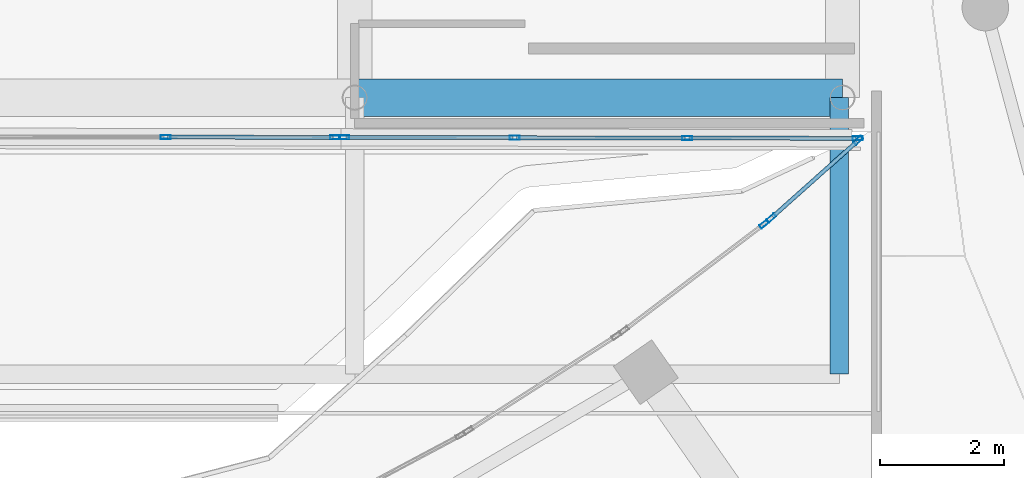
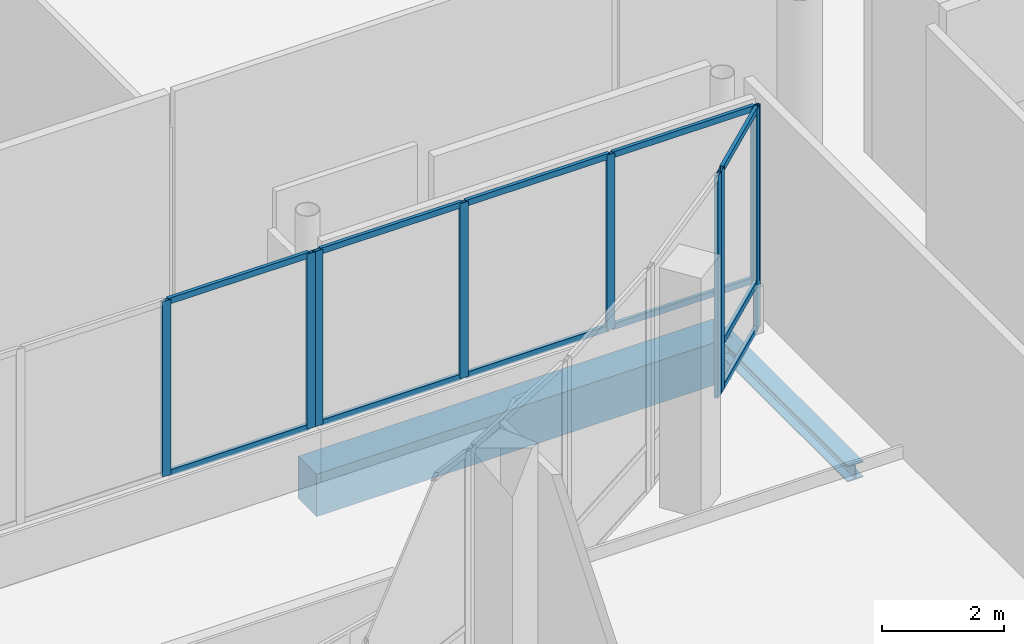
# One storey, part 56 of 168: 20 members, 2 beams, 4 elements without a shape of their own.
"""IFC4 building model written with IfcOpenShell, lengths in metres."""

from ifc_helpers import new_model, si_unit, direction, frame, origin, origin_2d, place, context, subcontext, project, spatial, rectangle, hollow_rectangle, i_section, extrude, material, material_profile, profile_set, type_object, element, aggregate, save


model = new_model("IFC4")

# Units and contexts
model_context = context("Model", 3, precision=1e-05, world=origin(), true_north=direction((0.0, 1.0)))
body_context = subcontext(model_context, "Body", "Model", "MODEL_VIEW")
ifc_project = project(units=[si_unit("LENGTHUNIT", "METRE"), si_unit("AREAUNIT", "SQUARE_METRE"), si_unit("VOLUMEUNIT", "CUBIC_METRE"), si_unit("PLANEANGLEUNIT", "RADIAN"), si_unit("MASSUNIT", "GRAM", prefix="KILO")], contexts=[model_context])

# Site, building, storey
site_placement = place(None, origin())
site = spatial("IfcSite", under=ifc_project, at=site_placement, CompositionType="ELEMENT")
building_placement = place(site_placement, origin())
building = spatial("IfcBuilding", under=site, at=building_placement, Name="Selatvlak General Hospital", CompositionType="ELEMENT")
storey_placement = place(building_placement, frame((0.0, 0.0, 5.39990234375)))
storey = spatial("IfcBuildingStorey", under=building, at=storey_placement, Name="L01", CompositionType="ELEMENT", Elevation=5.39990234375)

# Beams
ifc_material_1 = material(Name="Steel S355", Category="steel")
ifc_material_profile_1 = material_profile(ifc_material_1, i_section(OverallWidth=0.300048828125, OverallDepth=0.320068359375, WebThickness=0.011474609375, FlangeThickness=0.0205078125, at=origin_2d()), Name="HEB 320")
ifc_profile_set_1 = profile_set([ifc_material_profile_1], Name="Steel S355")
beam_type_1 = type_object("IfcBeamType", Name="BM-CAN", PredefinedType="BEAM", material=ifc_profile_set_1)
beam_1_placement = place(storey_placement, frame((81.0, 48.10009765625, -0.47998046875), z_axis=(0.0, 1.0, 0.0), x_axis=(-1.0, 0.0, 0.0)))
element("IfcBeam", 1, at=beam_1_placement, inside=storey, type_object=beam_type_1, Name="Beam BMR-L01-2951", PredefinedType="BEAM", context=body_context, shape_type="SweptSolid", body=[
    extrude(i_section(OverallWidth=0.300048828125, OverallDepth=0.320068359375, WebThickness=0.011474609375, FlangeThickness=0.0205078125, at=origin_2d()), origin(), (0.0, 0.0, 1.0), 4.449951171875),
])
ifc_material_2 = material(Name="Concrete C40/50", Category="concrete")
ifc_material_profile_2 = material_profile(ifc_material_2, rectangle(XDim=0.60009765625, YDim=0.85009765625, at=origin_2d()), Name="RC-BM 600x850")
ifc_profile_set_2 = profile_set([ifc_material_profile_2], Name="Concrete C40/50")
beam_type_2 = type_object("IfcBeamType", Name="BM-G01", PredefinedType="BEAM", material=ifc_profile_set_2)
beam_2_placement = place(storey_placement, frame((73.199951171875, 52.550048828125, -0.744873046875), z_axis=(1.0, 0.0, 0.0), x_axis=(0.0, 1.0, 0.0)))
element("IfcBeam", 2, at=beam_2_placement, inside=storey, type_object=beam_type_2, Name="Beam BMR-L01-0391", PredefinedType="BEAM", context=body_context, shape_type="SweptSolid", body=[
    extrude(rectangle(XDim=0.60009765625, YDim=0.85009765625, at=origin_2d()), origin(), (0.0, 0.0, 1.0), 7.85009765625),
])

# Curtain wall, member
ifc_material_3 = material(Name="Solar-control Low-E double glazing", Category="glass")
curtain_wall_type_1 = type_object("IfcCurtainWallType", Name="CW-CW-02", PredefinedType="USERDEFINED", material=ifc_material_3)
curtain_wall_1_placement = place(storey_placement, origin())
curtain_wall_1 = element("IfcCurtainWall", 3, at=curtain_wall_1_placement, inside=storey, type_object=curtain_wall_type_1, Name="Glazed facade curtain wall CW-L01-0206", ObjectType="UNITISED CURTAIN WALL", PredefinedType="USERDEFINED")
ifc_material_4 = material(Name="Dark anodised aluminium mullion", Category="aluminium")
ifc_material_profile_3 = material_profile(ifc_material_4, hollow_rectangle(XDim=0.06494140625, YDim=0.159912109375, WallThickness=0.00390625, at=origin_2d()), Name="AL-MUL 65x160x4")
ifc_profile_set_3 = profile_set([ifc_material_profile_3], Name="Dark anodised aluminium mullion")
member_type_1 = type_object("IfcMemberType", Name="CWM-01", PredefinedType="MULLION", material=ifc_profile_set_3)
member_1_placement = place(storey_placement, frame((79.7919921875, 50.517333984375, 0.0), z_axis=(0.0, 0.0, 1.0), x_axis=(-0.604514782215, 0.796593922952, 0.0)))
member_1 = element("IfcMember", 4, at=member_1_placement, type_object=member_type_1, Name="CW-02 mullion 2", PredefinedType="MULLION", context=body_context, shape_type="SweptSolid", body=[
    extrude(hollow_rectangle(XDim=0.06494140625, YDim=0.159912109375, WallThickness=0.00390625, at=origin_2d()), origin(), (0.0, 0.0, 1.0), 4.445068359375),
])
aggregate(curtain_wall_1, [member_1])

# Curtain wall, members
curtain_wall_type_2 = type_object("IfcCurtainWallType", Name="CW-CW-01", PredefinedType="USERDEFINED", material=ifc_material_3)
curtain_wall_2_placement = place(storey_placement, origin())
curtain_wall_2 = element("IfcCurtainWall", 5, at=curtain_wall_2_placement, inside=storey, type_object=curtain_wall_type_2, Name="Glazed facade curtain wall CW-L01-0207", ObjectType="UNITISED CURTAIN WALL", PredefinedType="USERDEFINED")
member_2_placement = place(storey_placement, frame((79.90234375, 50.610595703125, 0.0), z_axis=(0.0, 0.0, 1.0), x_axis=(-0.665638040566, 0.746274747631, 0.0)))
member_2 = element("IfcMember", 6, at=member_2_placement, type_object=member_type_1, Name="CW-01 mullion 1", PredefinedType="MULLION", context=body_context, shape_type="SweptSolid", body=[
    extrude(hollow_rectangle(XDim=0.06494140625, YDim=0.159912109375, WallThickness=0.00390625, at=origin_2d()), origin(), (0.0, 0.0, 1.0), 4.445068359375),
])
member_3_placement = place(storey_placement, frame((81.306640625, 51.86328125, 0.0), z_axis=(0.0, 0.0, 1.0), x_axis=(-0.665638040566, 0.746274747631, 0.0)))
member_3 = element("IfcMember", 7, at=member_3_placement, type_object=member_type_1, Name="CW-01 mullion 2", PredefinedType="MULLION", context=body_context, shape_type="SweptSolid", body=[
    extrude(hollow_rectangle(XDim=0.06494140625, YDim=0.159912109375, WallThickness=0.00390625, at=origin_2d()), origin(), (0.0, 0.0, 1.0), 4.445068359375),
])

curtain_wall_3_placement = place(storey_placement, origin())
curtain_wall_3 = element("IfcCurtainWall", 8, at=curtain_wall_3_placement, inside=storey, type_object=curtain_wall_type_2, Name="Glazed facade curtain wall CW-L01-0208", ObjectType="UNITISED CURTAIN WALL", PredefinedType="USERDEFINED")
member_4_placement = place(storey_placement, frame((81.29443359375, 51.89501953125, 0.940185546875), z_axis=(0.0, 0.0, 1.0), x_axis=(-0.001800285137, -0.999998379485, 0.0)))
member_4 = element("IfcMember", 9, at=member_4_placement, type_object=member_type_1, Name="CW-01 mullion 1", PredefinedType="MULLION", context=body_context, shape_type="SweptSolid", body=[
    extrude(hollow_rectangle(XDim=0.06494140625, YDim=0.159912109375, WallThickness=0.00390625, at=origin_2d()), origin(), (0.0, 0.0, 1.0), 3.5048828125),
])
member_5_placement = place(storey_placement, frame((78.549560546875, 51.89990234375, 0.940185546875), z_axis=(0.0, 0.0, 1.0), x_axis=(-0.001800285137, -0.999998379485, 0.0)))
member_5 = element("IfcMember", 10, at=member_5_placement, type_object=member_type_1, Name="CW-01 mullion 2", PredefinedType="MULLION", context=body_context, shape_type="SweptSolid", body=[
    extrude(hollow_rectangle(XDim=0.06494140625, YDim=0.159912109375, WallThickness=0.00390625, at=origin_2d()), origin(), (0.0, 0.0, 1.0), 3.5048828125),
])
member_6_placement = place(storey_placement, frame((75.772216796875, 51.905029296875, 0.940185546875), z_axis=(0.0, 0.0, 1.0), x_axis=(-0.001800285137, -0.999998379485, 0.0)))
member_6 = element("IfcMember", 11, at=member_6_placement, type_object=member_type_1, Name="CW-01 mullion 3", PredefinedType="MULLION", context=body_context, shape_type="SweptSolid", body=[
    extrude(hollow_rectangle(XDim=0.06494140625, YDim=0.159912109375, WallThickness=0.00390625, at=origin_2d()), origin(), (0.0, 0.0, 1.0), 3.5048828125),
])
member_7_placement = place(storey_placement, frame((73.027587890625, 51.909912109375, 0.940185546875), z_axis=(0.0, 0.0, 1.0), x_axis=(-0.001800285137, -0.999998379485, 0.0)))
member_7 = element("IfcMember", 12, at=member_7_placement, type_object=member_type_1, Name="CW-01 mullion 4", PredefinedType="MULLION", context=body_context, shape_type="SweptSolid", body=[
    extrude(hollow_rectangle(XDim=0.06494140625, YDim=0.159912109375, WallThickness=0.00390625, at=origin_2d()), origin(), (0.0, 0.0, 1.0), 3.5048828125),
])

curtain_wall_4_placement = place(storey_placement, origin())
curtain_wall_4 = element("IfcCurtainWall", 13, at=curtain_wall_4_placement, inside=storey, type_object=curtain_wall_type_1, Name="Glazed facade curtain wall CW-L01-0209", ObjectType="UNITISED CURTAIN WALL", PredefinedType="USERDEFINED")
member_8_placement = place(storey_placement, frame((72.882568359375, 51.91015625, 0.940185546875), z_axis=(0.0, 0.0, 1.0), x_axis=(-0.001811153756, -0.99999835986, 0.0)))
member_8 = element("IfcMember", 14, at=member_8_placement, type_object=member_type_1, Name="CW-02 mullion 1", PredefinedType="MULLION", context=body_context, shape_type="SweptSolid", body=[
    extrude(hollow_rectangle(XDim=0.06494140625, YDim=0.159912109375, WallThickness=0.00390625, at=origin_2d()), origin(), (0.0, 0.0, 1.0), 3.5048828125),
])
member_9_placement = place(storey_placement, frame((70.154296875, 51.9150390625, 0.940185546875), z_axis=(0.0, 0.0, 1.0), x_axis=(-0.001811153756, -0.99999835986, 0.0)))
member_9 = element("IfcMember", 15, at=member_9_placement, type_object=member_type_1, Name="CW-02 mullion 2", PredefinedType="MULLION", context=body_context, shape_type="SweptSolid", body=[
    extrude(hollow_rectangle(XDim=0.06494140625, YDim=0.159912109375, WallThickness=0.00390625, at=origin_2d()), origin(), (0.0, 0.0, 1.0), 3.5048828125),
])

# Member
ifc_material_profile_4 = material_profile(ifc_material_4, hollow_rectangle(XDim=0.06494140625, YDim=0.1201171875, WallThickness=0.00390625, at=origin_2d()), Name="AL-TRN 65x120x4")
ifc_profile_set_4 = profile_set([ifc_material_profile_4], Name="Dark anodised aluminium mullion")
member_type_2 = type_object("IfcMemberType", Name="CWT-01", PredefinedType="USERDEFINED", material=ifc_profile_set_4)
member_10_placement = place(storey_placement, frame((79.926513671875, 50.63232421875, 0.03271484375), z_axis=(0.746266570854, 0.66564720778, 0.0), x_axis=(-0.66564720778, 0.746266570854, 0.0)))
member_10 = element("IfcMember", 16, at=member_10_placement, type_object=member_type_2, Name="CW-01 transom 1.1", ObjectType="TRANSOM", PredefinedType="USERDEFINED", context=body_context, shape_type="SweptSolid", body=[
    extrude(hollow_rectangle(XDim=0.06494140625, YDim=0.1201171875, WallThickness=0.00390625, at=origin_2d()), origin(), (0.0, 0.0, 1.0), 1.81689453125),
])

member_11_placement = place(storey_placement, frame((79.926513671875, 50.63232421875, 0.9501953125), z_axis=(0.746266570854, 0.66564720778, 0.0), x_axis=(-0.66564720778, 0.746266570854, 0.0)))
member_11 = element("IfcMember", 17, at=member_11_placement, type_object=member_type_2, Name="CW-01 transom 1.2", ObjectType="TRANSOM", PredefinedType="USERDEFINED", context=body_context, shape_type="SweptSolid", body=[
    extrude(hollow_rectangle(XDim=0.06494140625, YDim=0.1201171875, WallThickness=0.00390625, at=origin_2d()), origin(), (0.0, 0.0, 1.0), 1.81689453125),
])

member_12_placement = place(storey_placement, frame((79.926513671875, 50.63232421875, 4.41259765625), z_axis=(0.746266570854, 0.66564720778, 0.0), x_axis=(-0.66564720778, 0.746266570854, 0.0)))
member_12 = element("IfcMember", 18, at=member_12_placement, type_object=member_type_2, Name="CW-01 transom 1.3", ObjectType="TRANSOM", PredefinedType="USERDEFINED", context=body_context, shape_type="SweptSolid", body=[
    extrude(hollow_rectangle(XDim=0.06494140625, YDim=0.1201171875, WallThickness=0.00390625, at=origin_2d()), origin(), (0.0, 0.0, 1.0), 1.81689453125),
])

aggregate(curtain_wall_2, [member_2, member_3, member_10, member_11, member_12])

member_13_placement = place(storey_placement, frame((81.261962890625, 51.89501953125, 0.97265625), z_axis=(-0.999998339875, 0.001822154409, 0.0), x_axis=(-0.001822154409, -0.999998339875, 0.0)))
member_13 = element("IfcMember", 19, at=member_13_placement, type_object=member_type_2, Name="CW-01 transom 1.1", ObjectType="TRANSOM", PredefinedType="USERDEFINED", context=body_context, shape_type="SweptSolid", body=[
    extrude(hollow_rectangle(XDim=0.06494140625, YDim=0.1201171875, WallThickness=0.00390625, at=origin_2d()), origin(), (0.0, 0.0, 1.0), 2.6796875),
])

member_14_placement = place(storey_placement, frame((81.261962890625, 51.89501953125, 4.41259765625), z_axis=(-0.999998339875, 0.001822154409, 0.0), x_axis=(-0.001822154409, -0.999998339875, 0.0)))
member_14 = element("IfcMember", 20, at=member_14_placement, type_object=member_type_2, Name="CW-01 transom 1.2", ObjectType="TRANSOM", PredefinedType="USERDEFINED", context=body_context, shape_type="SweptSolid", body=[
    extrude(hollow_rectangle(XDim=0.06494140625, YDim=0.1201171875, WallThickness=0.00390625, at=origin_2d()), origin(), (0.0, 0.0, 1.0), 2.6796875),
])

member_15_placement = place(storey_placement, frame((78.51708984375, 51.900146484375, 0.97265625), z_axis=(-0.999998379388, 0.001800339147, 0.0), x_axis=(-0.001800339147, -0.999998379388, 0.0)))
member_15 = element("IfcMember", 21, at=member_15_placement, type_object=member_type_2, Name="CW-01 transom 2.1", ObjectType="TRANSOM", PredefinedType="USERDEFINED", context=body_context, shape_type="SweptSolid", body=[
    extrude(hollow_rectangle(XDim=0.06494140625, YDim=0.1201171875, WallThickness=0.00390625, at=origin_2d()), origin(), (0.0, 0.0, 1.0), 2.712158203125),
])

member_16_placement = place(storey_placement, frame((78.51708984375, 51.900146484375, 4.41259765625), z_axis=(-0.999998379388, 0.001800339147, 0.0), x_axis=(-0.001800339147, -0.999998379388, 0.0)))
member_16 = element("IfcMember", 22, at=member_16_placement, type_object=member_type_2, Name="CW-01 transom 2.2", ObjectType="TRANSOM", PredefinedType="USERDEFINED", context=body_context, shape_type="SweptSolid", body=[
    extrude(hollow_rectangle(XDim=0.06494140625, YDim=0.1201171875, WallThickness=0.00390625, at=origin_2d()), origin(), (0.0, 0.0, 1.0), 2.712158203125),
])

member_17_placement = place(storey_placement, frame((75.73974609375, 51.905029296875, 0.97265625), z_axis=(-0.999998339875, 0.001822154409, 0.0), x_axis=(-0.001822154409, -0.999998339875, 0.0)))
member_17 = element("IfcMember", 23, at=member_17_placement, type_object=member_type_2, Name="CW-01 transom 3.1", ObjectType="TRANSOM", PredefinedType="USERDEFINED", context=body_context, shape_type="SweptSolid", body=[
    extrude(hollow_rectangle(XDim=0.06494140625, YDim=0.1201171875, WallThickness=0.00390625, at=origin_2d()), origin(), (0.0, 0.0, 1.0), 2.6796875),
])

member_18_placement = place(storey_placement, frame((75.73974609375, 51.905029296875, 4.41259765625), z_axis=(-0.999998339875, 0.001822154409, 0.0), x_axis=(-0.001822154409, -0.999998339875, 0.0)))
member_18 = element("IfcMember", 24, at=member_18_placement, type_object=member_type_2, Name="CW-01 transom 3.2", ObjectType="TRANSOM", PredefinedType="USERDEFINED", context=body_context, shape_type="SweptSolid", body=[
    extrude(hollow_rectangle(XDim=0.06494140625, YDim=0.1201171875, WallThickness=0.00390625, at=origin_2d()), origin(), (0.0, 0.0, 1.0), 2.6796875),
])

aggregate(curtain_wall_3, [member_4, member_5, member_6, member_7, member_13, member_14, member_15, member_16, member_17, member_18])

member_19_placement = place(storey_placement, frame((72.85009765625, 51.91015625, 0.97265625), z_axis=(-0.999998319421, 0.00183334553, 0.0), x_axis=(-0.00183334553, -0.999998319421, 0.0)))
member_19 = element("IfcMember", 25, at=member_19_placement, type_object=member_type_2, Name="CW-02 transom 1.1", ObjectType="TRANSOM", PredefinedType="USERDEFINED", context=body_context, shape_type="SweptSolid", body=[
    extrude(hollow_rectangle(XDim=0.06494140625, YDim=0.1201171875, WallThickness=0.00390625, at=origin_2d()), origin(), (0.0, 0.0, 1.0), 2.663330078125),
])

member_20_placement = place(storey_placement, frame((72.85009765625, 51.91015625, 4.41259765625), z_axis=(-0.999998319421, 0.00183334553, 0.0), x_axis=(-0.00183334553, -0.999998319421, 0.0)))
member_20 = element("IfcMember", 26, at=member_20_placement, type_object=member_type_2, Name="CW-02 transom 1.2", ObjectType="TRANSOM", PredefinedType="USERDEFINED", context=body_context, shape_type="SweptSolid", body=[
    extrude(hollow_rectangle(XDim=0.06494140625, YDim=0.1201171875, WallThickness=0.00390625, at=origin_2d()), origin(), (0.0, 0.0, 1.0), 2.663330078125),
])

aggregate(curtain_wall_4, [member_8, member_9, member_19, member_20])

save(model, "model.ifc")
